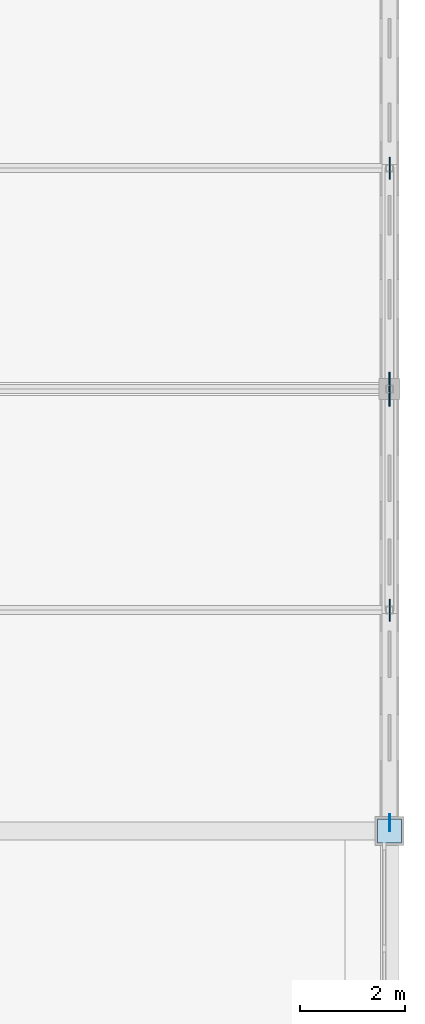
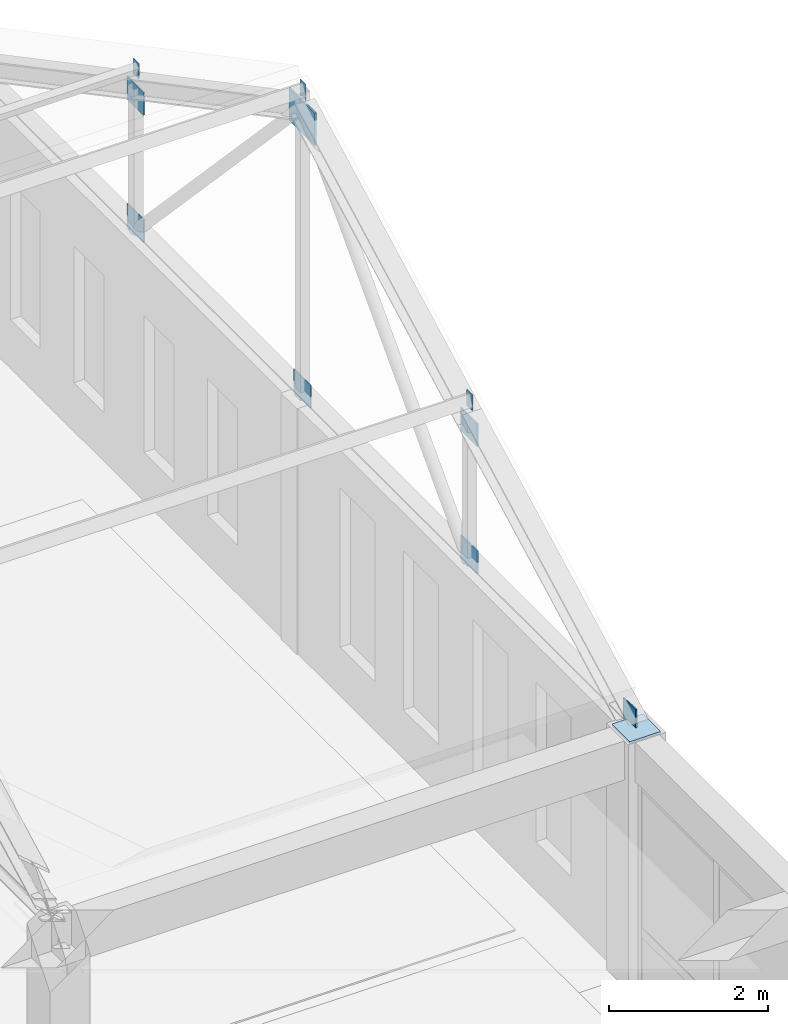
# One storey, part 40 of 56: 11 plates.
"""IFC4 building model written with IfcOpenShell, lengths in metres."""

import ifcopenshell
import ifcopenshell.guid

model = None  # the IFC model being written
_history = None  # IfcOwnerHistory: only IFC2X3 demands one
_inside = {}  # id of a spatial element -> (the spatial element, [elements in it])
_under = {}  # id of a project, library or spatial element -> (it, [spatial elements below it])
_declared = {}  # id of a project -> (the project, [libraries it declares])
_typed = {}  # id of a type object -> (the type object, [elements of that type])
_made_of = {}  # id of a material, layer set ... -> (it, [elements and type objects made of it])


def new_model(schema):
    """Start an empty IFC model of exactly this schema.

    Asked for "IFC4X3", IfcOpenShell would pick the latest addendum, in which some entities
    have other attributes; the version numbers below select the first issue.
    IFC2X3 requires an IfcOwnerHistory on every rooted entity: one is made here for all.
    """
    global model, _history
    if schema == "IFC4X3":
        model = ifcopenshell.file(schema_version=(4, 3, 0, 0))
    else:
        model = ifcopenshell.file(schema=schema)
    _inside.clear()
    _under.clear()
    _declared.clear()
    _typed.clear()
    _made_of.clear()
    _history = None
    if model.schema == "IFC2X3":
        org = make("IfcOrganization", Name="unknown")
        user = make(
            "IfcPersonAndOrganization",
            ThePerson=make("IfcPerson", FamilyName="unknown"),
            TheOrganization=org,
        )
        app = make(
            "IfcApplication",
            ApplicationDeveloper=org,
            Version="unknown",
            ApplicationFullName="unknown",
            ApplicationIdentifier="unknown",
        )
        _history = make(
            "IfcOwnerHistory",
            OwningUser=user,
            OwningApplication=app,
            ChangeAction="ADDED",
            CreationDate=0,
        )
    return model


def make(cls, **values):
    """One entity of the class cls with the attributes given. An attribute that is None is left unset."""
    return model.create_entity(
        cls, **{name: value for name, value in values.items() if value is not None}
    )


def rooted(cls, **values):
    """An entity with a GlobalId (a new one), such as an element, a storey or a relation."""
    return make(cls, GlobalId=ifcopenshell.guid.new(), OwnerHistory=_history, **values)


def si_unit(unit_type, name, prefix=None):
    """IfcSIUnit, for example si_unit("LENGTHUNIT", "METRE", prefix="MILLI")."""
    return make("IfcSIUnit", UnitType=unit_type, Prefix=prefix, Name=name)


def assignment(units):
    """IfcUnitAssignment: the units of a project."""
    return None if units is None else make("IfcUnitAssignment", Units=units)


def point(xyz):
    """IfcCartesianPoint."""
    return None if xyz is None else make("IfcCartesianPoint", Coordinates=xyz)


def direction(xyz):
    """IfcDirection."""
    return None if xyz is None else make("IfcDirection", DirectionRatios=xyz)


def frame(location, z_axis=None, x_axis=None):
    """IfcAxis2Placement3D, a coordinate frame: its origin and axes. An axis left out is left unset."""
    return make(
        "IfcAxis2Placement3D",
        Location=point(location),
        Axis=direction(z_axis),
        RefDirection=direction(x_axis),
    )


def frame_2d(location, x_axis=None):
    """IfcAxis2Placement2D, a coordinate frame in the plane: its origin and x axis."""
    return make(
        "IfcAxis2Placement2D", Location=point(location), RefDirection=direction(x_axis)
    )


def origin():
    """The frame at (0, 0, 0) with its axes left unset."""
    return frame((0.0, 0.0, 0.0))


def origin_2d():
    """The frame at (0, 0) in the plane with its x axis left unset."""
    return frame_2d((0.0, 0.0))


def place(relative_to, where):
    """IfcLocalPlacement: puts the frame where relative to a parent placement (None: the world)."""
    return make(
        "IfcLocalPlacement", PlacementRelTo=relative_to, RelativePlacement=where
    )


def context(
    kind, dimensions, precision=None, world=None, true_north=None, identifier=None
):
    """IfcGeometricRepresentationContext, for example the 3D "Model" context."""
    return make(
        "IfcGeometricRepresentationContext",
        ContextIdentifier=identifier,
        ContextType=kind,
        CoordinateSpaceDimension=dimensions,
        Precision=precision,
        WorldCoordinateSystem=world,
        TrueNorth=true_north,
    )


def subcontext(parent, identifier, kind, view, scale=None):
    """IfcGeometricRepresentationSubContext, for example "Body" below "Model"."""
    return make(
        "IfcGeometricRepresentationSubContext",
        ContextIdentifier=identifier,
        ContextType=kind,
        ParentContext=parent,
        TargetScale=scale,
        TargetView=view,
    )


def project(units=None, contexts=None):
    """IfcProject with its units and contexts."""
    return rooted(
        "IfcProject",
        Name="project",
        RepresentationContexts=contexts,
        UnitsInContext=assignment(units),
    )


def spatial(cls, under=None, at=None, **own):
    """A site, building, storey or space (cls), placed at a placement, below another one or the project."""
    s = rooted(cls, ObjectPlacement=at, **own)
    if under is not None:
        _under.setdefault(under.id(), (under, []))[1].append(s)
    return s


def profile(cls, at=None, kind="AREA", **sizes):
    """A parametric profile (cls). Its sizes go by their IFC names, for example OverallWidth=200.0."""
    return make(cls, ProfileType=kind, Position=at, **sizes)


def rectangle(**sizes):
    """IfcRectangleProfileDef."""
    return profile("IfcRectangleProfileDef", **sizes)


def extrude(swept, where, along, depth):
    """IfcExtrudedAreaSolid: the profile swept, set in the frame where, extruded along a direction by depth."""
    return make(
        "IfcExtrudedAreaSolid",
        SweptArea=swept,
        Position=where,
        ExtrudedDirection=direction(along),
        Depth=depth,
    )


def shape(context_of_items, identifier, shape_type, items):
    """IfcShapeRepresentation: the items that make up one representation, for example the "Body"."""
    return make(
        "IfcShapeRepresentation",
        ContextOfItems=context_of_items,
        RepresentationIdentifier=identifier,
        RepresentationType=shape_type,
        Items=items,
    )


def material(Name=None, Category=None):
    """IfcMaterial."""
    return make("IfcMaterial", Name=Name, Category=Category)


def layer(
    of_material, thickness, ventilated=None, Name=None, Category=None, Priority=None
):
    """IfcMaterialLayer: one layer of a wall or slab, of a material (None: an air gap)."""
    return make(
        "IfcMaterialLayer",
        Material=of_material,
        LayerThickness=thickness,
        IsVentilated=ventilated,
        Name=Name,
        Category=Category,
        Priority=Priority,
    )


def layer_set(layers, Name=None):
    """IfcMaterialLayerSet."""
    return make("IfcMaterialLayerSet", MaterialLayers=layers, LayerSetName=Name)


def made_of(thing, what):
    """Note that an element or type object is made of a material, layer set ...; save() writes the relation."""
    if what is not None:
        _made_of.setdefault(what.id(), (what, []))[1].append(thing)
    return thing


def type_object(cls, material=None, **own):
    """A type object (cls), such as IfcWallType, which elements share."""
    return made_of(rooted(cls, **own), material)


def element(
    cls,
    number,
    at=None,
    inside=None,
    cuts=None,
    type_object=None,
    material=None,
    context=None,
    identifier="Body",
    shape_type=None,
    held_by="IfcProductDefinitionShape",
    body=None,
    shapes=None,
    **own,
):
    """One element of the class cls, such as IfcWall. Its Tag is "e" and its number.

    at: its placement. inside: the storey or other place that contains it. cuts: it is an
    opening in that element (IfcRelVoidsElement). A single representation is given by context,
    identifier, shape_type and body (its items); several are given by shapes. held_by: the class
    of the entity that holds the representations. save() writes the other relations.
    """
    e = rooted(cls, Tag="e%d" % number, ObjectPlacement=at, **own)
    if body is not None:
        shapes = [shape(context, identifier, shape_type, body)]
    if shapes is not None:
        e.Representation = make(held_by, Representations=shapes)
    if inside is not None:
        _inside.setdefault(inside.id(), (inside, []))[1].append(e)
    if cuts is not None:
        rooted(
            "IfcRelVoidsElement", RelatingBuildingElement=cuts, RelatedOpeningElement=e
        )
    if type_object is not None:
        _typed.setdefault(type_object.id(), (type_object, []))[1].append(e)
    return made_of(e, material)


def aggregate(whole, parts):
    """IfcRelAggregates: a whole, such as a stair, and the parts it consists of."""
    return rooted("IfcRelAggregates", RelatingObject=whole, RelatedObjects=parts)


def save(model, path):
    """Write the relations noted so far, then the file.

    IfcRelAggregates (storeys below a building ...), IfcRelContainedInSpatialStructure (elements
    in a storey), IfcRelDefinesByType, IfcRelAssociatesMaterial and IfcRelDeclares: one each for
    every whole, place, type object, material and project.
    """
    for whole, parts in _under.values():
        aggregate(whole, parts)
    for where, things in _inside.values():
        rooted(
            "IfcRelContainedInSpatialStructure",
            RelatedElements=things,
            RelatingStructure=where,
        )
    for kind, things in _typed.values():
        rooted("IfcRelDefinesByType", RelatedObjects=things, RelatingType=kind)
    for what, things in _made_of.values():
        rooted("IfcRelAssociatesMaterial", RelatedObjects=things, RelatingMaterial=what)
    for by, libraries in _declared.values():
        rooted("IfcRelDeclares", RelatingContext=by, RelatedDefinitions=libraries)
    model.write(path)


model = new_model("IFC4")

# Units and contexts
model_context = context("Model", 3, precision=1e-05, world=origin(), true_north=direction((0.0, 1.0)))
body_context = subcontext(model_context, "Body", "Model", "MODEL_VIEW")
ifc_project = project(units=[si_unit("LENGTHUNIT", "METRE"), si_unit("AREAUNIT", "SQUARE_METRE"), si_unit("VOLUMEUNIT", "CUBIC_METRE"), si_unit("PLANEANGLEUNIT", "RADIAN"), si_unit("MASSUNIT", "GRAM", prefix="KILO")], contexts=[model_context])

# Site, building, storey
site_placement = place(None, origin())
site = spatial("IfcSite", under=ifc_project, at=site_placement, CompositionType="ELEMENT")
building_placement = place(site_placement, origin())
building = spatial("IfcBuilding", under=site, at=building_placement, Name="Kveldsbrygga Polytechnic", CompositionType="ELEMENT")
storey_placement = place(building_placement, frame((0.0, 0.0, 18.02001953125)))
storey = spatial("IfcBuildingStorey", under=building, at=storey_placement, Name="L04", CompositionType="ELEMENT", Elevation=18.02001953125)

# Plates
ifc_material = material(Name="Steel S355", Category="steel")
ifc_layer_1 = layer(ifc_material, 0.030029296875)
ifc_layer_set_1 = layer_set([ifc_layer_1], Name="Steel S355")
plate_type_1 = type_object("IfcPlateType", Name="CAP-BEAR-450", PredefinedType="SHEET", material=ifc_layer_set_1)
plate_1_placement = place(storey_placement, frame((168.0, 100.800048828125, 3.75), z_axis=(0.0, 0.0, 1.0), x_axis=(1.0, 0.0, 0.0)))
element("IfcPlate", 1, at=plate_1_placement, inside=storey, type_object=plate_type_1, Name="Truss Bearing Plate V4N5-T06-A", PredefinedType="SHEET", context=body_context, shape_type="SweptSolid", body=[
    extrude(rectangle(XDim=0.449951171875, YDim=0.449951171875, at=origin_2d()), origin(), (0.0, 0.0, 1.0), 0.030029296875),
])
ifc_layer_2 = layer(ifc_material, 0.011962890625)
ifc_layer_set_2 = layer_set([ifc_layer_2], Name="Steel S355")
plate_type_2 = type_object("IfcPlateType", Name="CAP-PRL-200", PredefinedType="SHEET", material=ifc_layer_set_2)
for number, where, z_axis, x_axis, name in (
    (2, (168.006103515625, 105.0, 6.1455078125), (0.0, 0.0, 1.0), (1.0, 0.0, 0.0), "Purlin End Cap Plate V4N5-EP-B-1"),
    (3, (168.006103515625, 109.199951171875, 8.3701171875), (0.0, 0.0, 1.0), (1.0, 0.0, 0.0), "Purlin End Cap Plate V4N5-EP-B-2"),
    (4, (168.006103515625, 113.39990234375, 6.1455078125), (0.0, 0.0, 1.0), (1.0, 0.0, 0.0), "Purlin End Cap Plate V4N5-EP-B-3"),
):
    element("IfcPlate", number, at=place(storey_placement, frame(where, z_axis=z_axis, x_axis=x_axis)), inside=storey, type_object=plate_type_2, Name=name, PredefinedType="SHEET", context=body_context, shape_type="SweptSolid", body=[
        extrude(rectangle(XDim=0.011962890625, YDim=0.139892578125, at=origin_2d()), origin(), (0.0, 0.0, 1.0), 0.239990234375),
    ])
ifc_layer_3 = layer(ifc_material, 0.02490234375)
ifc_layer_set_3 = layer_set([ifc_layer_3], Name="Steel S355")
plate_type_3 = type_object("IfcPlateType", Name="GUS-APEX-650", PredefinedType="SHEET", material=ifc_layer_set_3)
plate_2_placement = place(storey_placement, frame((168.0, 109.199951171875, 7.830078125), z_axis=(0.0, 0.0, 1.0), x_axis=(1.0, 0.0, 0.0)))
element("IfcPlate", 5, at=plate_2_placement, inside=storey, type_object=plate_type_3, Name="Truss Gusset Plate V4N5-T06-GP-2", PredefinedType="SHEET", context=body_context, shape_type="SweptSolid", body=[
    extrude(rectangle(XDim=0.02490234375, YDim=0.64990234375, at=origin_2d()), origin(), (0.0, 0.0, 1.0), 0.5),
])
ifc_layer_4 = layer(ifc_material, 0.01806640625)
ifc_layer_set_4 = layer_set([ifc_layer_4], Name="Steel S355")
plate_type_4 = type_object("IfcPlateType", Name="GUS-BRACE-320", PredefinedType="SHEET", material=ifc_layer_set_4)
plate_3_placement = place(storey_placement, frame((168.0, 100.9599609375, 3.73974609375), z_axis=(0.0, 0.0, 1.0), x_axis=(1.0, 0.0, 0.0)))
element("IfcPlate", 6, at=plate_3_placement, inside=storey, type_object=plate_type_4, Name="Truss Eaves Node Gusset V4N5-T06-EGP-A", PredefinedType="SHEET", context=body_context, shape_type="SweptSolid", body=[
    extrude(rectangle(XDim=0.01806640625, YDim=0.320068359375, at=origin_2d()), origin(), (0.0, 0.0, 1.0), 0.320068359375),
])
ifc_layer_5 = layer(ifc_material, 0.02001953125)
ifc_layer_set_5 = layer_set([ifc_layer_5], Name="Steel S355")
plate_type_5 = type_object("IfcPlateType", Name="GUS-LECT-420", PredefinedType="SHEET", material=ifc_layer_set_5)
for number, where, z_axis, x_axis, name in (
    (7, (168.0, 105.0, 5.679931640625), (0.0, 0.0, 1.0), (1.0, 0.0, 0.0), "Truss Gusset Plate V4N5-T06-GP-1"),
    (8, (168.0, 105.0, 3.724853515625), (0.0, 0.0, 1.0), (1.0, 0.0, 0.0), "Truss Bottom-Chord Node Gusset V4N5-T06-BGP-1"),
    (9, (168.0, 109.199951171875, 3.724853515625), (0.0, 0.0, 1.0), (1.0, 0.0, 0.0), "Truss Bottom-Chord Node Gusset V4N5-T06-BGP-2"),
    (10, (168.0, 113.39990234375, 5.679931640625), (0.0, 0.0, 1.0), (1.0, 0.0, 0.0), "Truss Gusset Plate V4N5-T06-GP-3"),
    (11, (168.0, 113.39990234375, 3.724853515625), (0.0, 0.0, 1.0), (1.0, 0.0, 0.0), "Truss Bottom-Chord Node Gusset V4N5-T06-BGP-3"),
):
    element("IfcPlate", number, at=place(storey_placement, frame(where, z_axis=z_axis, x_axis=x_axis)), inside=storey, type_object=plate_type_5, Name=name, PredefinedType="SHEET", context=body_context, shape_type="SweptSolid", body=[
        extrude(rectangle(XDim=0.02001953125, YDim=0.419921875, at=origin_2d()), origin(), (0.0, 0.0, 1.0), 0.35009765625),
    ])

save(model, "model.ifc")
